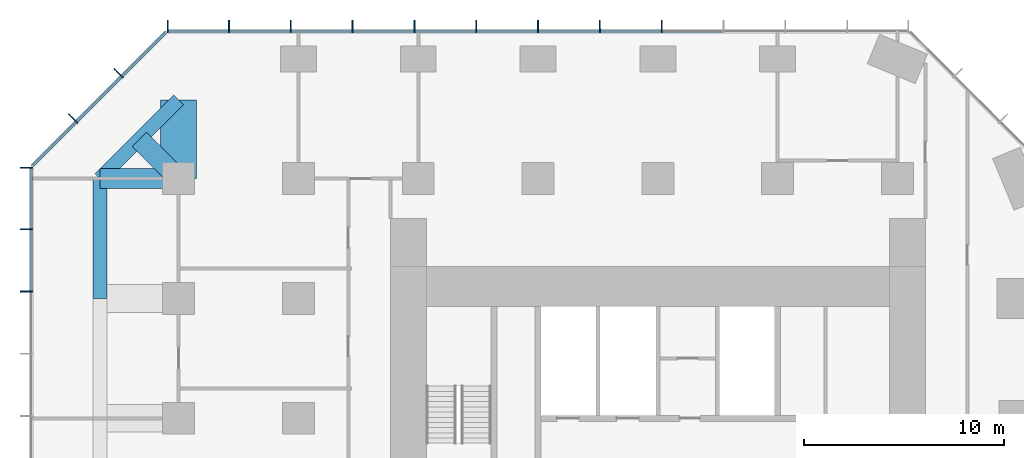
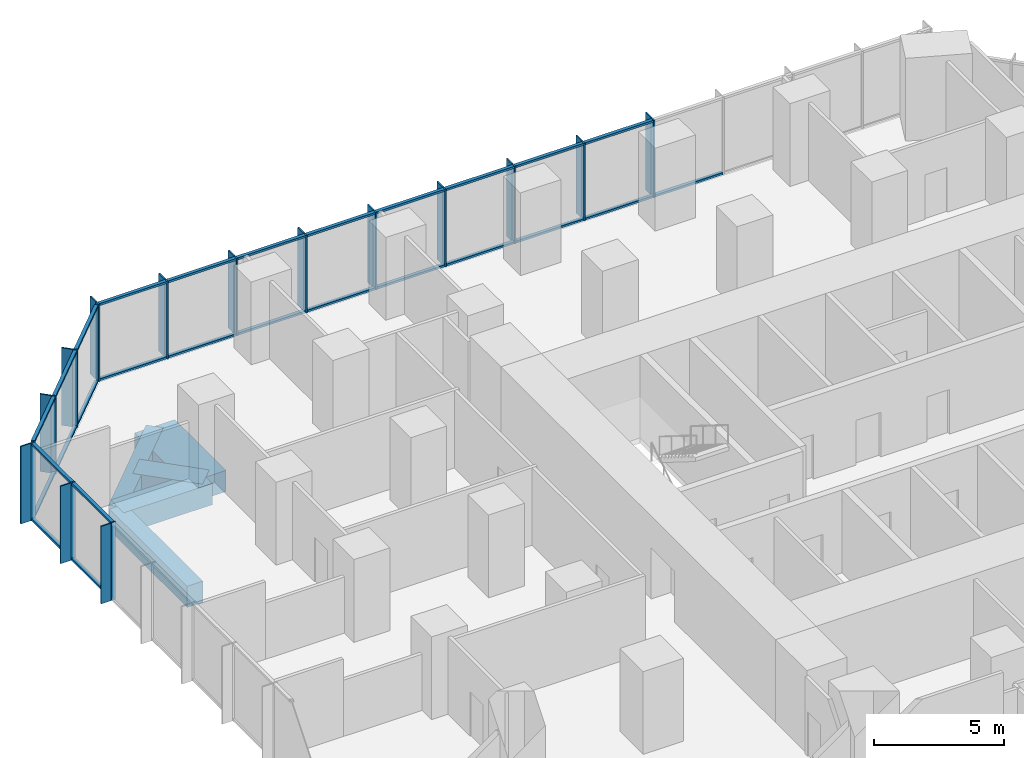
# One storey, part 6 of 13: 55 members, 5 beams, 3 elements without a shape of their own.
"""IFC4 building model written with IfcOpenShell, lengths in metres."""

from ifc_helpers import new_model, si_unit, direction, frame, origin, origin_2d, place, context, subcontext, project, spatial, rectangle, extrude, material, layer, layer_set, material_profile, profile_set, type_object, element, aggregate, save


model = new_model("IFC4")

# Units and contexts
model_context = context("Model", 3, precision=1e-05, world=origin(), true_north=direction((0.0, 1.0)))
body_context = subcontext(model_context, "Body", "Model", "MODEL_VIEW")
ifc_project = project(units=[si_unit("LENGTHUNIT", "METRE"), si_unit("AREAUNIT", "SQUARE_METRE"), si_unit("VOLUMEUNIT", "CUBIC_METRE"), si_unit("PLANEANGLEUNIT", "RADIAN"), si_unit("MASSUNIT", "GRAM", prefix="KILO")], contexts=[model_context])

# Site, building, storey
site_placement = place(None, origin())
site = spatial("IfcSite", under=ifc_project, at=site_placement, CompositionType="ELEMENT")
building_placement = place(site_placement, origin())
building = spatial("IfcBuilding", under=site, at=building_placement, Name="Highveld Stack Headquarters", CompositionType="ELEMENT")
storey_placement = place(building_placement, frame((0.0, 0.0, 136.699951171875)))
storey = spatial("IfcBuildingStorey", under=building, at=storey_placement, Name="L33", CompositionType="ELEMENT", Elevation=136.699951171875)

# Beams
ifc_material_1 = material(Name="Concrete C60/75", Category="concrete")
ifc_material_profile_1 = material_profile(ifc_material_1, rectangle(XDim=1.0, YDim=1.0, at=origin_2d()), Name="RC 1000x1000")
ifc_profile_set_1 = profile_set([ifc_material_profile_1], Name="Concrete C60/75")
beam_type_1 = type_object("IfcBeamType", Name="CANTILEVER RIB RC 1000x1000", PredefinedType="USERDEFINED", material=ifc_profile_set_1)
beam_1_placement = place(storey_placement, frame((-18.0, 18.0, -0.75), z_axis=(-1.0, 0.0, 0.0), x_axis=(0.0, -1.0, 0.0)))
element("IfcBeam", 1, at=beam_1_placement, inside=storey, type_object=beam_type_1, Name="Cantilever rib 3/H L33", ObjectType="CANTILEVER RIB", PredefinedType="USERDEFINED", context=body_context, shape_type="SweptSolid", body=[
    extrude(rectangle(XDim=1.0, YDim=1.0, at=origin_2d()), origin(), (0.0, 0.0, 1.0), 3.949951171875),
])
beam_2_placement = place(storey_placement, frame((-18.0, 18.0, -0.75), z_axis=(-0.707106781187, 0.707106781187, 0.0), x_axis=(-0.707106781187, -0.707106781187, 0.0)))
element("IfcBeam", 2, at=beam_2_placement, inside=storey, type_object=beam_type_1, Name="Cantilever rib 3/H L33", ObjectType="CANTILEVER RIB", PredefinedType="USERDEFINED", context=body_context, shape_type="SweptSolid", body=[
    extrude(rectangle(XDim=1.0, YDim=1.0, at=origin_2d()), origin(), (0.0, 0.0, 1.0), 2.793212890625),
])
ifc_material_2 = material(Name="Concrete C60/75", Category="concrete")
ifc_material_profile_2 = material_profile(ifc_material_2, rectangle(XDim=1.800048828125, YDim=1.0, at=origin_2d()), Name="RC 1800x1000")
ifc_profile_set_2 = profile_set([ifc_material_profile_2], Name="Concrete C60/75")
beam_type_2 = type_object("IfcBeamType", Name="CANTILEVER RIB RC 1800x1000", PredefinedType="USERDEFINED", material=ifc_profile_set_2)
beam_3_placement = place(storey_placement, frame((-18.0, 18.0, -0.75), z_axis=(0.0, 1.0, 0.0), x_axis=(-1.0, 0.0, 0.0)))
element("IfcBeam", 3, at=beam_3_placement, inside=storey, type_object=beam_type_2, Name="Cantilever rib 3/H L33", ObjectType="CANTILEVER RIB", PredefinedType="USERDEFINED", context=body_context, shape_type="SweptSolid", body=[
    extrude(rectangle(XDim=1.800048828125, YDim=1.0, at=origin_2d()), origin(), (0.0, 0.0, 1.0), 3.949951171875),
])

# Curtain wall, members
ifc_material_3 = material(Name="Aluminium bronze anodised", Category="aluminium")
ifc_layer_1 = layer(ifc_material_3, 0.199951171875)
ifc_layer_set_1 = layer_set([ifc_layer_1], Name="Aluminium bronze anodised")
curtain_wall_type_1 = type_object("IfcCurtainWallType", Name="CW1 TOWER UNITISED CURTAIN WALL", PredefinedType="NOTDEFINED", material=ifc_layer_set_1)
curtain_wall_1_placement = place(storey_placement, origin())
curtain_wall_1 = element("IfcCurtainWall", 4, at=curtain_wall_1_placement, inside=storey, type_object=curtain_wall_type_1, Name="Curtain wall CW1 L33 N", PredefinedType="NOTDEFINED")
ifc_material_4 = material(Name="Aluminium bronze anodised", Category="aluminium")
ifc_material_profile_3 = material_profile(ifc_material_4, rectangle(XDim=0.449951171875, YDim=0.06005859375, at=origin_2d()), Name="FIN 450x60")
ifc_profile_set_3 = profile_set([ifc_material_profile_3], Name="Aluminium bronze anodised")
member_type_1 = type_object("IfcMemberType", Name="CW1 BRONZE FIN 450x60", PredefinedType="USERDEFINED", material=ifc_profile_set_3)
member_1_placement = place(storey_placement, frame((6.193359375, 25.72509765625, 0.0), z_axis=(0.0, 0.0, 1.0), x_axis=(0.0, -1.0, 0.0)))
member_1 = element("IfcMember", 5, at=member_1_placement, type_object=member_type_1, Name="CW1 fin L33 5", ObjectType="FIN", PredefinedType="USERDEFINED", context=body_context, shape_type="SweptSolid", body=[
    extrude(rectangle(XDim=0.449951171875, YDim=0.06005859375, at=origin_2d()), origin(), (0.0, 0.0, 1.0), 3.650146484375),
])
member_2_placement = place(storey_placement, frame((3.0966796875, 25.72509765625, 0.0), z_axis=(0.0, 0.0, 1.0), x_axis=(0.0, -1.0, 0.0)))
member_2 = element("IfcMember", 6, at=member_2_placement, type_object=member_type_1, Name="CW1 fin L33 6", ObjectType="FIN", PredefinedType="USERDEFINED", context=body_context, shape_type="SweptSolid", body=[
    extrude(rectangle(XDim=0.449951171875, YDim=0.06005859375, at=origin_2d()), origin(), (0.0, 0.0, 1.0), 3.650146484375),
])
member_3_placement = place(storey_placement, frame((0.0, 25.72509765625, 0.0), z_axis=(0.0, 0.0, 1.0), x_axis=(0.0, -1.0, 0.0)))
member_3 = element("IfcMember", 7, at=member_3_placement, type_object=member_type_1, Name="CW1 fin L33 7", ObjectType="FIN", PredefinedType="USERDEFINED", context=body_context, shape_type="SweptSolid", body=[
    extrude(rectangle(XDim=0.449951171875, YDim=0.06005859375, at=origin_2d()), origin(), (0.0, 0.0, 1.0), 3.650146484375),
])
member_4_placement = place(storey_placement, frame((-3.0966796875, 25.72509765625, 0.0), z_axis=(0.0, 0.0, 1.0), x_axis=(0.0, -1.0, 0.0)))
member_4 = element("IfcMember", 8, at=member_4_placement, type_object=member_type_1, Name="CW1 fin L33 8", ObjectType="FIN", PredefinedType="USERDEFINED", context=body_context, shape_type="SweptSolid", body=[
    extrude(rectangle(XDim=0.449951171875, YDim=0.06005859375, at=origin_2d()), origin(), (0.0, 0.0, 1.0), 3.650146484375),
])
member_5_placement = place(storey_placement, frame((-6.193359375, 25.72509765625, 0.0), z_axis=(0.0, 0.0, 1.0), x_axis=(0.0, -1.0, 0.0)))
member_5 = element("IfcMember", 9, at=member_5_placement, type_object=member_type_1, Name="CW1 fin L33 9", ObjectType="FIN", PredefinedType="USERDEFINED", context=body_context, shape_type="SweptSolid", body=[
    extrude(rectangle(XDim=0.449951171875, YDim=0.06005859375, at=origin_2d()), origin(), (0.0, 0.0, 1.0), 3.650146484375),
])
member_6_placement = place(storey_placement, frame((-9.2900390625, 25.72509765625, 0.0), z_axis=(0.0, 0.0, 1.0), x_axis=(0.0, -1.0, 0.0)))
member_6 = element("IfcMember", 10, at=member_6_placement, type_object=member_type_1, Name="CW1 fin L33 10", ObjectType="FIN", PredefinedType="USERDEFINED", context=body_context, shape_type="SweptSolid", body=[
    extrude(rectangle(XDim=0.449951171875, YDim=0.06005859375, at=origin_2d()), origin(), (0.0, 0.0, 1.0), 3.650146484375),
])
member_7_placement = place(storey_placement, frame((-12.38671875, 25.72509765625, 0.0), z_axis=(0.0, 0.0, 1.0), x_axis=(0.0, -1.0, 0.0)))
member_7 = element("IfcMember", 11, at=member_7_placement, type_object=member_type_1, Name="CW1 fin L33 11", ObjectType="FIN", PredefinedType="USERDEFINED", context=body_context, shape_type="SweptSolid", body=[
    extrude(rectangle(XDim=0.449951171875, YDim=0.06005859375, at=origin_2d()), origin(), (0.0, 0.0, 1.0), 3.650146484375),
])
member_8_placement = place(storey_placement, frame((-15.4833984375, 25.72509765625, 0.0), z_axis=(0.0, 0.0, 1.0), x_axis=(0.0, -1.0, 0.0)))
member_8 = element("IfcMember", 12, at=member_8_placement, type_object=member_type_1, Name="CW1 fin L33 12", ObjectType="FIN", PredefinedType="USERDEFINED", context=body_context, shape_type="SweptSolid", body=[
    extrude(rectangle(XDim=0.449951171875, YDim=0.06005859375, at=origin_2d()), origin(), (0.0, 0.0, 1.0), 3.650146484375),
])
member_9_placement = place(storey_placement, frame((-18.54736328125, 25.72509765625, 0.0), z_axis=(0.0, 0.0, 1.0), x_axis=(0.0, -1.0, 0.0)))
member_9 = element("IfcMember", 13, at=member_9_placement, type_object=member_type_1, Name="CW1 fin L33 13", ObjectType="FIN", PredefinedType="USERDEFINED", context=body_context, shape_type="SweptSolid", body=[
    extrude(rectangle(XDim=0.449951171875, YDim=0.06005859375, at=origin_2d()), origin(), (0.0, 0.0, 1.0), 3.650146484375),
])

curtain_wall_2_placement = place(storey_placement, origin())
curtain_wall_2 = element("IfcCurtainWall", 14, at=curtain_wall_2_placement, inside=storey, type_object=curtain_wall_type_1, Name="Curtain wall CW1 L33 W", PredefinedType="NOTDEFINED")
member_10_placement = place(storey_placement, frame((-25.72509765625, 18.54736328125, 0.0), z_axis=(0.0, 0.0, 1.0), x_axis=(1.0, 0.0, 0.0)))
member_10 = element("IfcMember", 15, at=member_10_placement, type_object=member_type_1, Name="CW1 fin L33 1", ObjectType="FIN", PredefinedType="USERDEFINED", context=body_context, shape_type="SweptSolid", body=[
    extrude(rectangle(XDim=0.449951171875, YDim=0.06005859375, at=origin_2d()), origin(), (0.0, 0.0, 1.0), 3.650146484375),
])
member_11_placement = place(storey_placement, frame((-25.72509765625, 15.4638671875, 0.0), z_axis=(0.0, 0.0, 1.0), x_axis=(1.0, 0.0, 0.0)))
member_11 = element("IfcMember", 16, at=member_11_placement, type_object=member_type_1, Name="CW1 fin L33 2", ObjectType="FIN", PredefinedType="USERDEFINED", context=body_context, shape_type="SweptSolid", body=[
    extrude(rectangle(XDim=0.449951171875, YDim=0.06005859375, at=origin_2d()), origin(), (0.0, 0.0, 1.0), 3.650146484375),
])
member_12_placement = place(storey_placement, frame((-25.72509765625, 12.347900390625, 0.0), z_axis=(0.0, 0.0, 1.0), x_axis=(1.0, 0.0, 0.0)))
member_12 = element("IfcMember", 17, at=member_12_placement, type_object=member_type_1, Name="CW1 fin L33 3", ObjectType="FIN", PredefinedType="USERDEFINED", context=body_context, shape_type="SweptSolid", body=[
    extrude(rectangle(XDim=0.449951171875, YDim=0.06005859375, at=origin_2d()), origin(), (0.0, 0.0, 1.0), 3.650146484375),
])

# Member
ifc_material_5 = material(Name="Aluminium bronze anodised", Category="aluminium")
ifc_material_profile_4 = material_profile(ifc_material_5, rectangle(XDim=0.199951171875, YDim=0.06494140625, at=origin_2d()), Name="CW1 MULLION 65x200")
ifc_profile_set_4 = profile_set([ifc_material_profile_4], Name="Aluminium bronze anodised")
member_type_2 = type_object("IfcMemberType", Name="CW1 MULLION 65x200", PredefinedType="MULLION", material=ifc_profile_set_4)
member_13_placement = place(storey_placement, frame((6.193359375, 25.39990234375, 0.0), z_axis=(0.0, 0.0, 1.0), x_axis=(0.0, -1.0, 0.0)))
member_13 = element("IfcMember", 18, at=member_13_placement, type_object=member_type_2, Name="CW1 mullion L33 5", PredefinedType="MULLION", context=body_context, shape_type="SweptSolid", body=[
    extrude(rectangle(XDim=0.199951171875, YDim=0.06494140625, at=origin_2d()), origin(), (0.0, 0.0, 1.0), 3.650146484375),
])

member_14_placement = place(storey_placement, frame((3.0966796875, 25.39990234375, 0.0), z_axis=(0.0, 0.0, 1.0), x_axis=(0.0, -1.0, 0.0)))
member_14 = element("IfcMember", 19, at=member_14_placement, type_object=member_type_2, Name="CW1 mullion L33 6", PredefinedType="MULLION", context=body_context, shape_type="SweptSolid", body=[
    extrude(rectangle(XDim=0.199951171875, YDim=0.06494140625, at=origin_2d()), origin(), (0.0, 0.0, 1.0), 3.650146484375),
])

member_15_placement = place(storey_placement, frame((0.0, 25.39990234375, 0.0), z_axis=(0.0, 0.0, 1.0), x_axis=(0.0, -1.0, 0.0)))
member_15 = element("IfcMember", 20, at=member_15_placement, type_object=member_type_2, Name="CW1 mullion L33 7", PredefinedType="MULLION", context=body_context, shape_type="SweptSolid", body=[
    extrude(rectangle(XDim=0.199951171875, YDim=0.06494140625, at=origin_2d()), origin(), (0.0, 0.0, 1.0), 3.650146484375),
])

member_16_placement = place(storey_placement, frame((-3.0966796875, 25.39990234375, 0.0), z_axis=(0.0, 0.0, 1.0), x_axis=(0.0, -1.0, 0.0)))
member_16 = element("IfcMember", 21, at=member_16_placement, type_object=member_type_2, Name="CW1 mullion L33 8", PredefinedType="MULLION", context=body_context, shape_type="SweptSolid", body=[
    extrude(rectangle(XDim=0.199951171875, YDim=0.06494140625, at=origin_2d()), origin(), (0.0, 0.0, 1.0), 3.650146484375),
])

member_17_placement = place(storey_placement, frame((-6.193359375, 25.39990234375, 0.0), z_axis=(0.0, 0.0, 1.0), x_axis=(0.0, -1.0, 0.0)))
member_17 = element("IfcMember", 22, at=member_17_placement, type_object=member_type_2, Name="CW1 mullion L33 9", PredefinedType="MULLION", context=body_context, shape_type="SweptSolid", body=[
    extrude(rectangle(XDim=0.199951171875, YDim=0.06494140625, at=origin_2d()), origin(), (0.0, 0.0, 1.0), 3.650146484375),
])

member_18_placement = place(storey_placement, frame((-9.2900390625, 25.39990234375, 0.0), z_axis=(0.0, 0.0, 1.0), x_axis=(0.0, -1.0, 0.0)))
member_18 = element("IfcMember", 23, at=member_18_placement, type_object=member_type_2, Name="CW1 mullion L33 10", PredefinedType="MULLION", context=body_context, shape_type="SweptSolid", body=[
    extrude(rectangle(XDim=0.199951171875, YDim=0.06494140625, at=origin_2d()), origin(), (0.0, 0.0, 1.0), 3.650146484375),
])

member_19_placement = place(storey_placement, frame((-12.38671875, 25.39990234375, 0.0), z_axis=(0.0, 0.0, 1.0), x_axis=(0.0, -1.0, 0.0)))
member_19 = element("IfcMember", 24, at=member_19_placement, type_object=member_type_2, Name="CW1 mullion L33 11", PredefinedType="MULLION", context=body_context, shape_type="SweptSolid", body=[
    extrude(rectangle(XDim=0.199951171875, YDim=0.06494140625, at=origin_2d()), origin(), (0.0, 0.0, 1.0), 3.650146484375),
])

member_20_placement = place(storey_placement, frame((-15.4833984375, 25.39990234375, 0.0), z_axis=(0.0, 0.0, 1.0), x_axis=(0.0, -1.0, 0.0)))
member_20 = element("IfcMember", 25, at=member_20_placement, type_object=member_type_2, Name="CW1 mullion L33 12", PredefinedType="MULLION", context=body_context, shape_type="SweptSolid", body=[
    extrude(rectangle(XDim=0.199951171875, YDim=0.06494140625, at=origin_2d()), origin(), (0.0, 0.0, 1.0), 3.650146484375),
])

member_21_placement = place(storey_placement, frame((-18.54736328125, 25.39990234375, 0.0), z_axis=(0.0, 0.0, 1.0), x_axis=(0.0, -1.0, 0.0)))
member_21 = element("IfcMember", 26, at=member_21_placement, type_object=member_type_2, Name="CW1 mullion L33 13", PredefinedType="MULLION", context=body_context, shape_type="SweptSolid", body=[
    extrude(rectangle(XDim=0.199951171875, YDim=0.06494140625, at=origin_2d()), origin(), (0.0, 0.0, 1.0), 3.650146484375),
])

member_22_placement = place(storey_placement, frame((-25.39990234375, 18.54736328125, 0.0), z_axis=(0.0, 0.0, 1.0), x_axis=(1.0, 0.0, 0.0)))
member_22 = element("IfcMember", 27, at=member_22_placement, type_object=member_type_2, Name="CW1 mullion L33 1", PredefinedType="MULLION", context=body_context, shape_type="SweptSolid", body=[
    extrude(rectangle(XDim=0.199951171875, YDim=0.06494140625, at=origin_2d()), origin(), (0.0, 0.0, 1.0), 3.650146484375),
])

member_23_placement = place(storey_placement, frame((-25.39990234375, 15.4638671875, 0.0), z_axis=(0.0, 0.0, 1.0), x_axis=(1.0, 0.0, 0.0)))
member_23 = element("IfcMember", 28, at=member_23_placement, type_object=member_type_2, Name="CW1 mullion L33 2", PredefinedType="MULLION", context=body_context, shape_type="SweptSolid", body=[
    extrude(rectangle(XDim=0.199951171875, YDim=0.06494140625, at=origin_2d()), origin(), (0.0, 0.0, 1.0), 3.650146484375),
])

member_24_placement = place(storey_placement, frame((-25.39990234375, 12.347900390625, 0.0), z_axis=(0.0, 0.0, 1.0), x_axis=(1.0, 0.0, 0.0)))
member_24 = element("IfcMember", 29, at=member_24_placement, type_object=member_type_2, Name="CW1 mullion L33 3", PredefinedType="MULLION", context=body_context, shape_type="SweptSolid", body=[
    extrude(rectangle(XDim=0.199951171875, YDim=0.06494140625, at=origin_2d()), origin(), (0.0, 0.0, 1.0), 3.650146484375),
])

ifc_material_6 = material(Name="Aluminium bronze anodised", Category="aluminium")
ifc_material_profile_5 = material_profile(ifc_material_6, rectangle(XDim=0.14990234375, YDim=0.10009765625, at=origin_2d()), Name="CW1 TRANSOM 150x100")
ifc_profile_set_5 = profile_set([ifc_material_profile_5], Name="Aluminium bronze anodised")
member_type_3 = type_object("IfcMemberType", Name="CW1 STACK TRANSOM 150x100", PredefinedType="USERDEFINED", material=ifc_profile_set_5)
member_25_placement = place(storey_placement, frame((9.25732421875, 25.39990234375, 0.050048828125), z_axis=(-1.0, 0.0, 0.0), x_axis=(0.0, -1.0, 0.0)))
member_25 = element("IfcMember", 30, at=member_25_placement, type_object=member_type_3, Name="CW1 transom L33 4.1", ObjectType="TRANSOM", PredefinedType="USERDEFINED", context=body_context, shape_type="SweptSolid", body=[
    extrude(rectangle(XDim=0.14990234375, YDim=0.10009765625, at=origin_2d()), origin(), (0.0, 0.0, 1.0), 3.031494140625),
])

member_26_placement = place(storey_placement, frame((6.160888671875, 25.39990234375, 0.050048828125), z_axis=(-1.0, 0.0, 0.0), x_axis=(0.0, -1.0, 0.0)))
member_26 = element("IfcMember", 31, at=member_26_placement, type_object=member_type_3, Name="CW1 transom L33 5.1", ObjectType="TRANSOM", PredefinedType="USERDEFINED", context=body_context, shape_type="SweptSolid", body=[
    extrude(rectangle(XDim=0.14990234375, YDim=0.10009765625, at=origin_2d()), origin(), (0.0, 0.0, 1.0), 3.03173828125),
])

member_27_placement = place(storey_placement, frame((6.160888671875, 25.39990234375, 3.60009765625), z_axis=(-1.0, 0.0, 0.0), x_axis=(0.0, -1.0, 0.0)))
member_27 = element("IfcMember", 32, at=member_27_placement, type_object=member_type_3, Name="CW1 transom L33 5.2", ObjectType="TRANSOM", PredefinedType="USERDEFINED", context=body_context, shape_type="SweptSolid", body=[
    extrude(rectangle(XDim=0.14990234375, YDim=0.10009765625, at=origin_2d()), origin(), (0.0, 0.0, 1.0), 3.03173828125),
])

member_28_placement = place(storey_placement, frame((3.064208984375, 25.39990234375, 0.050048828125), z_axis=(-1.0, 0.0, 0.0), x_axis=(0.0, -1.0, 0.0)))
member_28 = element("IfcMember", 33, at=member_28_placement, type_object=member_type_3, Name="CW1 transom L33 6.1", ObjectType="TRANSOM", PredefinedType="USERDEFINED", context=body_context, shape_type="SweptSolid", body=[
    extrude(rectangle(XDim=0.14990234375, YDim=0.10009765625, at=origin_2d()), origin(), (0.0, 0.0, 1.0), 3.03173828125),
])

member_29_placement = place(storey_placement, frame((3.064208984375, 25.39990234375, 3.60009765625), z_axis=(-1.0, 0.0, 0.0), x_axis=(0.0, -1.0, 0.0)))
member_29 = element("IfcMember", 34, at=member_29_placement, type_object=member_type_3, Name="CW1 transom L33 6.2", ObjectType="TRANSOM", PredefinedType="USERDEFINED", context=body_context, shape_type="SweptSolid", body=[
    extrude(rectangle(XDim=0.14990234375, YDim=0.10009765625, at=origin_2d()), origin(), (0.0, 0.0, 1.0), 3.03173828125),
])

member_30_placement = place(storey_placement, frame((-0.032470703125, 25.39990234375, 0.050048828125), z_axis=(-1.0, 0.0, 0.0), x_axis=(0.0, -1.0, 0.0)))
member_30 = element("IfcMember", 35, at=member_30_placement, type_object=member_type_3, Name="CW1 transom L33 7.1", ObjectType="TRANSOM", PredefinedType="USERDEFINED", context=body_context, shape_type="SweptSolid", body=[
    extrude(rectangle(XDim=0.14990234375, YDim=0.10009765625, at=origin_2d()), origin(), (0.0, 0.0, 1.0), 3.03173828125),
])

member_31_placement = place(storey_placement, frame((-0.032470703125, 25.39990234375, 3.60009765625), z_axis=(-1.0, 0.0, 0.0), x_axis=(0.0, -1.0, 0.0)))
member_31 = element("IfcMember", 36, at=member_31_placement, type_object=member_type_3, Name="CW1 transom L33 7.2", ObjectType="TRANSOM", PredefinedType="USERDEFINED", context=body_context, shape_type="SweptSolid", body=[
    extrude(rectangle(XDim=0.14990234375, YDim=0.10009765625, at=origin_2d()), origin(), (0.0, 0.0, 1.0), 3.03173828125),
])

member_32_placement = place(storey_placement, frame((-3.129150390625, 25.39990234375, 0.050048828125), z_axis=(-1.0, 0.0, 0.0), x_axis=(0.0, -1.0, 0.0)))
member_32 = element("IfcMember", 37, at=member_32_placement, type_object=member_type_3, Name="CW1 transom L33 8.1", ObjectType="TRANSOM", PredefinedType="USERDEFINED", context=body_context, shape_type="SweptSolid", body=[
    extrude(rectangle(XDim=0.14990234375, YDim=0.10009765625, at=origin_2d()), origin(), (0.0, 0.0, 1.0), 3.03173828125),
])

member_33_placement = place(storey_placement, frame((-3.129150390625, 25.39990234375, 3.60009765625), z_axis=(-1.0, 0.0, 0.0), x_axis=(0.0, -1.0, 0.0)))
member_33 = element("IfcMember", 38, at=member_33_placement, type_object=member_type_3, Name="CW1 transom L33 8.2", ObjectType="TRANSOM", PredefinedType="USERDEFINED", context=body_context, shape_type="SweptSolid", body=[
    extrude(rectangle(XDim=0.14990234375, YDim=0.10009765625, at=origin_2d()), origin(), (0.0, 0.0, 1.0), 3.03173828125),
])

member_34_placement = place(storey_placement, frame((-6.225830078125, 25.39990234375, 0.050048828125), z_axis=(-1.0, 0.0, 0.0), x_axis=(0.0, -1.0, 0.0)))
member_34 = element("IfcMember", 39, at=member_34_placement, type_object=member_type_3, Name="CW1 transom L33 9.1", ObjectType="TRANSOM", PredefinedType="USERDEFINED", context=body_context, shape_type="SweptSolid", body=[
    extrude(rectangle(XDim=0.14990234375, YDim=0.10009765625, at=origin_2d()), origin(), (0.0, 0.0, 1.0), 3.03173828125),
])

member_35_placement = place(storey_placement, frame((-6.225830078125, 25.39990234375, 3.60009765625), z_axis=(-1.0, 0.0, 0.0), x_axis=(0.0, -1.0, 0.0)))
member_35 = element("IfcMember", 40, at=member_35_placement, type_object=member_type_3, Name="CW1 transom L33 9.2", ObjectType="TRANSOM", PredefinedType="USERDEFINED", context=body_context, shape_type="SweptSolid", body=[
    extrude(rectangle(XDim=0.14990234375, YDim=0.10009765625, at=origin_2d()), origin(), (0.0, 0.0, 1.0), 3.03173828125),
])

member_36_placement = place(storey_placement, frame((-9.322509765625, 25.39990234375, 0.050048828125), z_axis=(-1.0, 0.0, 0.0), x_axis=(0.0, -1.0, 0.0)))
member_36 = element("IfcMember", 41, at=member_36_placement, type_object=member_type_3, Name="CW1 transom L33 10.1", ObjectType="TRANSOM", PredefinedType="USERDEFINED", context=body_context, shape_type="SweptSolid", body=[
    extrude(rectangle(XDim=0.14990234375, YDim=0.10009765625, at=origin_2d()), origin(), (0.0, 0.0, 1.0), 3.031494140625),
])

member_37_placement = place(storey_placement, frame((-9.322509765625, 25.39990234375, 3.60009765625), z_axis=(-1.0, 0.0, 0.0), x_axis=(0.0, -1.0, 0.0)))
member_37 = element("IfcMember", 42, at=member_37_placement, type_object=member_type_3, Name="CW1 transom L33 10.2", ObjectType="TRANSOM", PredefinedType="USERDEFINED", context=body_context, shape_type="SweptSolid", body=[
    extrude(rectangle(XDim=0.14990234375, YDim=0.10009765625, at=origin_2d()), origin(), (0.0, 0.0, 1.0), 3.031494140625),
])

member_38_placement = place(storey_placement, frame((-12.419189453125, 25.39990234375, 0.050048828125), z_axis=(-1.0, 0.0, 0.0), x_axis=(0.0, -1.0, 0.0)))
member_38 = element("IfcMember", 43, at=member_38_placement, type_object=member_type_3, Name="CW1 transom L33 11.1", ObjectType="TRANSOM", PredefinedType="USERDEFINED", context=body_context, shape_type="SweptSolid", body=[
    extrude(rectangle(XDim=0.14990234375, YDim=0.10009765625, at=origin_2d()), origin(), (0.0, 0.0, 1.0), 3.031494140625),
])

member_39_placement = place(storey_placement, frame((-12.419189453125, 25.39990234375, 3.60009765625), z_axis=(-1.0, 0.0, 0.0), x_axis=(0.0, -1.0, 0.0)))
member_39 = element("IfcMember", 44, at=member_39_placement, type_object=member_type_3, Name="CW1 transom L33 11.2", ObjectType="TRANSOM", PredefinedType="USERDEFINED", context=body_context, shape_type="SweptSolid", body=[
    extrude(rectangle(XDim=0.14990234375, YDim=0.10009765625, at=origin_2d()), origin(), (0.0, 0.0, 1.0), 3.031494140625),
])

member_40_placement = place(storey_placement, frame((-15.515869140625, 25.39990234375, 0.050048828125), z_axis=(-1.0, 0.0, 0.0), x_axis=(0.0, -1.0, 0.0)))
member_40 = element("IfcMember", 45, at=member_40_placement, type_object=member_type_3, Name="CW1 transom L33 12.1", ObjectType="TRANSOM", PredefinedType="USERDEFINED", context=body_context, shape_type="SweptSolid", body=[
    extrude(rectangle(XDim=0.14990234375, YDim=0.10009765625, at=origin_2d()), origin(), (0.0, 0.0, 1.0), 2.9990234375),
])

member_41_placement = place(storey_placement, frame((-15.515869140625, 25.39990234375, 3.60009765625), z_axis=(-1.0, 0.0, 0.0), x_axis=(0.0, -1.0, 0.0)))
member_41 = element("IfcMember", 46, at=member_41_placement, type_object=member_type_3, Name="CW1 transom L33 12.2", ObjectType="TRANSOM", PredefinedType="USERDEFINED", context=body_context, shape_type="SweptSolid", body=[
    extrude(rectangle(XDim=0.14990234375, YDim=0.10009765625, at=origin_2d()), origin(), (0.0, 0.0, 1.0), 2.9990234375),
])

aggregate(curtain_wall_1, [member_13, member_1, member_14, member_2, member_15, member_3, member_16, member_4, member_17, member_5, member_18, member_6, member_19, member_7, member_20, member_8, member_21, member_9, member_25, member_26, member_27, member_28, member_29, member_30, member_31, member_32, member_33, member_34, member_35, member_36, member_37, member_38, member_39, member_40, member_41])

member_42_placement = place(storey_placement, frame((-25.39990234375, 18.514892578125, 0.050048828125), z_axis=(0.0, -1.0, 0.0), x_axis=(1.0, 0.0, 0.0)))
member_42 = element("IfcMember", 47, at=member_42_placement, type_object=member_type_3, Name="CW1 transom L33 1.1", ObjectType="TRANSOM", PredefinedType="USERDEFINED", context=body_context, shape_type="SweptSolid", body=[
    extrude(rectangle(XDim=0.14990234375, YDim=0.10009765625, at=origin_2d()), origin(), (0.0, 0.0, 1.0), 3.0185546875),
])

member_43_placement = place(storey_placement, frame((-25.39990234375, 18.514892578125, 3.60009765625), z_axis=(0.0, -1.0, 0.0), x_axis=(1.0, 0.0, 0.0)))
member_43 = element("IfcMember", 48, at=member_43_placement, type_object=member_type_3, Name="CW1 transom L33 1.2", ObjectType="TRANSOM", PredefinedType="USERDEFINED", context=body_context, shape_type="SweptSolid", body=[
    extrude(rectangle(XDim=0.14990234375, YDim=0.10009765625, at=origin_2d()), origin(), (0.0, 0.0, 1.0), 3.0185546875),
])

member_44_placement = place(storey_placement, frame((-25.39990234375, 15.431396484375, 0.050048828125), z_axis=(0.0, -1.0, 0.0), x_axis=(1.0, 0.0, 0.0)))
member_44 = element("IfcMember", 49, at=member_44_placement, type_object=member_type_3, Name="CW1 transom L33 2.1", ObjectType="TRANSOM", PredefinedType="USERDEFINED", context=body_context, shape_type="SweptSolid", body=[
    extrude(rectangle(XDim=0.14990234375, YDim=0.10009765625, at=origin_2d()), origin(), (0.0, 0.0, 1.0), 3.051025390625),
])

member_45_placement = place(storey_placement, frame((-25.39990234375, 15.431396484375, 3.60009765625), z_axis=(0.0, -1.0, 0.0), x_axis=(1.0, 0.0, 0.0)))
member_45 = element("IfcMember", 50, at=member_45_placement, type_object=member_type_3, Name="CW1 transom L33 2.2", ObjectType="TRANSOM", PredefinedType="USERDEFINED", context=body_context, shape_type="SweptSolid", body=[
    extrude(rectangle(XDim=0.14990234375, YDim=0.10009765625, at=origin_2d()), origin(), (0.0, 0.0, 1.0), 3.051025390625),
])

aggregate(curtain_wall_2, [member_22, member_10, member_23, member_11, member_24, member_12, member_42, member_43, member_44, member_45])

# Curtain wall, members
ifc_material_7 = material(Name="Aluminium bronze anodised", Category="aluminium")
ifc_layer_2 = layer(ifc_material_7, 0.199951171875)
ifc_layer_set_2 = layer_set([ifc_layer_2], Name="Aluminium bronze anodised")
curtain_wall_type_2 = type_object("IfcCurtainWallType", Name="CW2 TOWER CHAMFER UNITISED CURTAIN WALL", PredefinedType="NOTDEFINED", material=ifc_layer_set_2)
curtain_wall_3_placement = place(storey_placement, origin())
curtain_wall_3 = element("IfcCurtainWall", 51, at=curtain_wall_3_placement, inside=storey, type_object=curtain_wall_type_2, Name="Curtain wall CW2 L33 NW", PredefinedType="NOTDEFINED")
ifc_material_8 = material(Name="Aluminium bronze anodised", Category="aluminium")
ifc_material_profile_6 = material_profile(ifc_material_8, rectangle(XDim=0.449951171875, YDim=0.06005859375, at=origin_2d()), Name="FIN 450x60")
ifc_profile_set_6 = profile_set([ifc_material_profile_6], Name="Aluminium bronze anodised")
member_type_4 = type_object("IfcMemberType", Name="CW2 BRONZE FIN 450x60", PredefinedType="USERDEFINED", material=ifc_profile_set_6)
member_46_placement = place(storey_placement, frame((-21.0830078125, 23.3564453125, 0.0), z_axis=(0.0, 0.0, 1.0), x_axis=(0.707106781187, -0.707106781187, 0.0)))
member_46 = element("IfcMember", 52, at=member_46_placement, type_object=member_type_4, Name="CW2 fin L33 1", ObjectType="FIN", PredefinedType="USERDEFINED", context=body_context, shape_type="SweptSolid", body=[
    extrude(rectangle(XDim=0.449951171875, YDim=0.06005859375, at=origin_2d()), origin(), (0.0, 0.0, 1.0), 3.650146484375),
])
member_47_placement = place(storey_placement, frame((-23.3564453125, 21.0830078125, 0.0), z_axis=(0.0, 0.0, 1.0), x_axis=(0.707106781187, -0.707106781187, 0.0)))
member_47 = element("IfcMember", 53, at=member_47_placement, type_object=member_type_4, Name="CW2 fin L33 2", ObjectType="FIN", PredefinedType="USERDEFINED", context=body_context, shape_type="SweptSolid", body=[
    extrude(rectangle(XDim=0.449951171875, YDim=0.06005859375, at=origin_2d()), origin(), (0.0, 0.0, 1.0), 3.650146484375),
])
ifc_material_9 = material(Name="Aluminium bronze anodised", Category="aluminium")
ifc_material_profile_7 = material_profile(ifc_material_9, rectangle(XDim=0.199951171875, YDim=0.06494140625, at=origin_2d()), Name="CW2 MULLION 65x200")
ifc_profile_set_7 = profile_set([ifc_material_profile_7], Name="Aluminium bronze anodised")
member_type_5 = type_object("IfcMemberType", Name="CW2 MULLION 65x200", PredefinedType="MULLION", material=ifc_profile_set_7)
member_48_placement = place(storey_placement, frame((-20.853271484375, 23.126708984375, 0.0), z_axis=(0.0, 0.0, 1.0), x_axis=(0.707106781187, -0.707106781187, 0.0)))
member_48 = element("IfcMember", 54, at=member_48_placement, type_object=member_type_5, Name="CW2 mullion L33 1", PredefinedType="MULLION", context=body_context, shape_type="SweptSolid", body=[
    extrude(rectangle(XDim=0.199951171875, YDim=0.06494140625, at=origin_2d()), origin(), (0.0, 0.0, 1.0), 3.650146484375),
])
member_49_placement = place(storey_placement, frame((-23.126708984375, 20.853271484375, 0.0), z_axis=(0.0, 0.0, 1.0), x_axis=(0.707106781187, -0.707106781187, 0.0)))
member_49 = element("IfcMember", 55, at=member_49_placement, type_object=member_type_5, Name="CW2 mullion L33 2", PredefinedType="MULLION", context=body_context, shape_type="SweptSolid", body=[
    extrude(rectangle(XDim=0.199951171875, YDim=0.06494140625, at=origin_2d()), origin(), (0.0, 0.0, 1.0), 3.650146484375),
])
ifc_material_10 = material(Name="Aluminium bronze anodised", Category="aluminium")
ifc_material_profile_8 = material_profile(ifc_material_10, rectangle(XDim=0.14990234375, YDim=0.10009765625, at=origin_2d()), Name="CW2 TRANSOM 150x100")
ifc_profile_set_8 = profile_set([ifc_material_profile_8], Name="Aluminium bronze anodised")
member_type_6 = type_object("IfcMemberType", Name="CW2 STACK TRANSOM 150x100", PredefinedType="USERDEFINED", material=ifc_profile_set_8)
member_50_placement = place(storey_placement, frame((-18.650634765625, 25.329345703125, 0.050048828125), z_axis=(-0.707106781187, -0.707106781187, 0.0), x_axis=(0.707106781187, -0.707106781187, 0.0)))
member_50 = element("IfcMember", 56, at=member_50_placement, type_object=member_type_6, Name="CW2 transom L33 1.1", ObjectType="TRANSOM", PredefinedType="USERDEFINED", context=body_context, shape_type="SweptSolid", body=[
    extrude(rectangle(XDim=0.14990234375, YDim=0.10009765625, at=origin_2d()), origin(), (0.0, 0.0, 1.0), 3.08251953125),
])
member_51_placement = place(storey_placement, frame((-18.650634765625, 25.329345703125, 3.60009765625), z_axis=(-0.707106781187, -0.707106781187, 0.0), x_axis=(0.707106781187, -0.707106781187, 0.0)))
member_51 = element("IfcMember", 57, at=member_51_placement, type_object=member_type_6, Name="CW2 transom L33 1.2", ObjectType="TRANSOM", PredefinedType="USERDEFINED", context=body_context, shape_type="SweptSolid", body=[
    extrude(rectangle(XDim=0.14990234375, YDim=0.10009765625, at=origin_2d()), origin(), (0.0, 0.0, 1.0), 3.08251953125),
])
member_52_placement = place(storey_placement, frame((-20.876220703125, 23.103759765625, 0.050048828125), z_axis=(-0.707106781187, -0.707106781187, 0.0), x_axis=(0.707106781187, -0.707106781187, 0.0)))
member_52 = element("IfcMember", 58, at=member_52_placement, type_object=member_type_6, Name="CW2 transom L33 2.1", ObjectType="TRANSOM", PredefinedType="USERDEFINED", context=body_context, shape_type="SweptSolid", body=[
    extrude(rectangle(XDim=0.14990234375, YDim=0.10009765625, at=origin_2d()), origin(), (0.0, 0.0, 1.0), 3.150146484375),
])
member_53_placement = place(storey_placement, frame((-20.876220703125, 23.103759765625, 3.60009765625), z_axis=(-0.707106781187, -0.707106781187, 0.0), x_axis=(0.707106781187, -0.707106781187, 0.0)))
member_53 = element("IfcMember", 59, at=member_53_placement, type_object=member_type_6, Name="CW2 transom L33 2.2", ObjectType="TRANSOM", PredefinedType="USERDEFINED", context=body_context, shape_type="SweptSolid", body=[
    extrude(rectangle(XDim=0.14990234375, YDim=0.10009765625, at=origin_2d()), origin(), (0.0, 0.0, 1.0), 3.150146484375),
])
member_54_placement = place(storey_placement, frame((-23.149658203125, 20.830322265625, 0.050048828125), z_axis=(-0.707106781187, -0.707106781187, 0.0), x_axis=(0.707106781187, -0.707106781187, 0.0)))
member_54 = element("IfcMember", 60, at=member_54_placement, type_object=member_type_6, Name="CW2 transom L33 3.1", ObjectType="TRANSOM", PredefinedType="USERDEFINED", context=body_context, shape_type="SweptSolid", body=[
    extrude(rectangle(XDim=0.14990234375, YDim=0.10009765625, at=origin_2d()), origin(), (0.0, 0.0, 1.0), 3.08251953125),
])
member_55_placement = place(storey_placement, frame((-23.149658203125, 20.830322265625, 3.60009765625), z_axis=(-0.707106781187, -0.707106781187, 0.0), x_axis=(0.707106781187, -0.707106781187, 0.0)))
member_55 = element("IfcMember", 61, at=member_55_placement, type_object=member_type_6, Name="CW2 transom L33 3.2", ObjectType="TRANSOM", PredefinedType="USERDEFINED", context=body_context, shape_type="SweptSolid", body=[
    extrude(rectangle(XDim=0.14990234375, YDim=0.10009765625, at=origin_2d()), origin(), (0.0, 0.0, 1.0), 3.08251953125),
])
aggregate(curtain_wall_3, [member_48, member_46, member_49, member_47, member_50, member_51, member_52, member_53, member_54, member_55])

# Beams
ifc_material_11 = material(Name="Concrete C60/75", Category="concrete")
ifc_material_profile_9 = material_profile(ifc_material_11, rectangle(XDim=0.699951171875, YDim=1.0, at=origin_2d()), Name="RC 700x1000")
ifc_profile_set_9 = profile_set([ifc_material_profile_9], Name="Concrete C60/75")
beam_type_3 = type_object("IfcBeamType", Name="RIB TIP BEAM RC 700x1000", PredefinedType="SPANDREL", material=ifc_profile_set_9)
beam_4_placement = place(storey_placement, frame((-21.949951171875, 12.0, -0.75), z_axis=(0.0, 1.0, 0.0), x_axis=(-1.0, 0.0, 0.0)))
element("IfcBeam", 62, at=beam_4_placement, inside=storey, type_object=beam_type_3, Name="Rib tip beam 3/G to 3/H L33", PredefinedType="SPANDREL", context=body_context, shape_type="SweptSolid", body=[
    extrude(rectangle(XDim=0.699951171875, YDim=1.0, at=origin_2d()), origin(), (0.0, 0.0, 1.0), 6.0),
])
beam_5_placement = place(storey_placement, frame((-21.949951171875, 18.0, -0.75), z_axis=(0.707106781187, 0.707106781187, 0.0), x_axis=(-0.707106781187, 0.707106781187, 0.0)))
element("IfcBeam", 63, at=beam_5_placement, inside=storey, type_object=beam_type_3, Name="Rib tip beam 3/H corner L33", PredefinedType="SPANDREL", context=body_context, shape_type="SweptSolid", body=[
    extrude(rectangle(XDim=0.699951171875, YDim=1.0, at=origin_2d()), origin(), (0.0, 0.0, 1.0), 5.586181640625),
])

save(model, "model.ifc")
